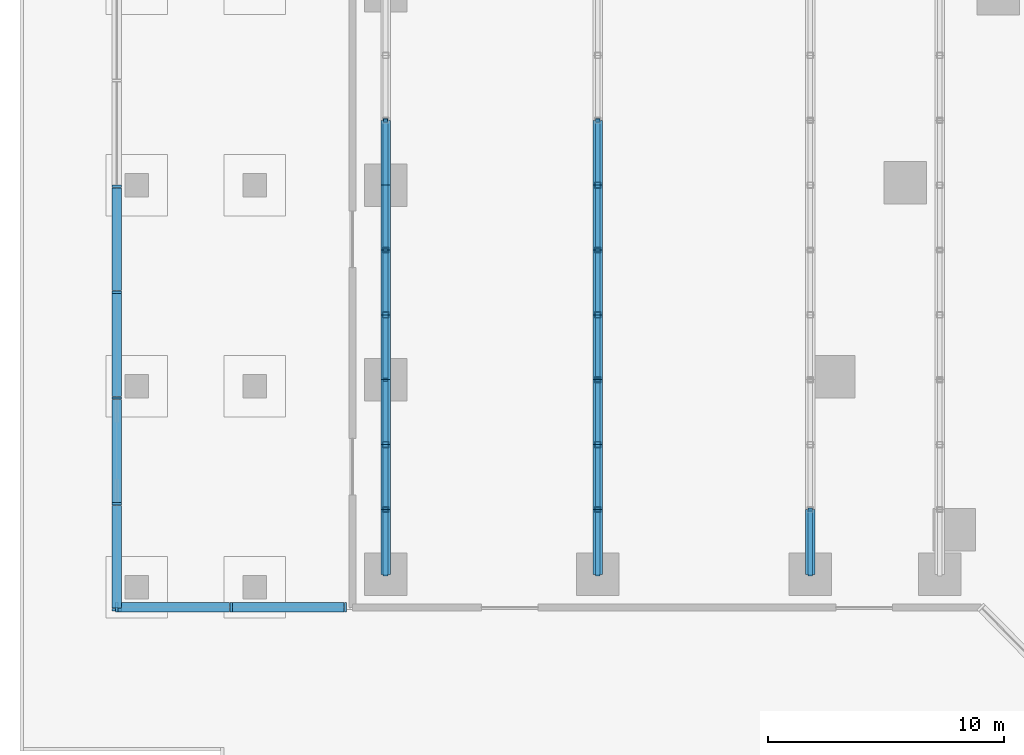
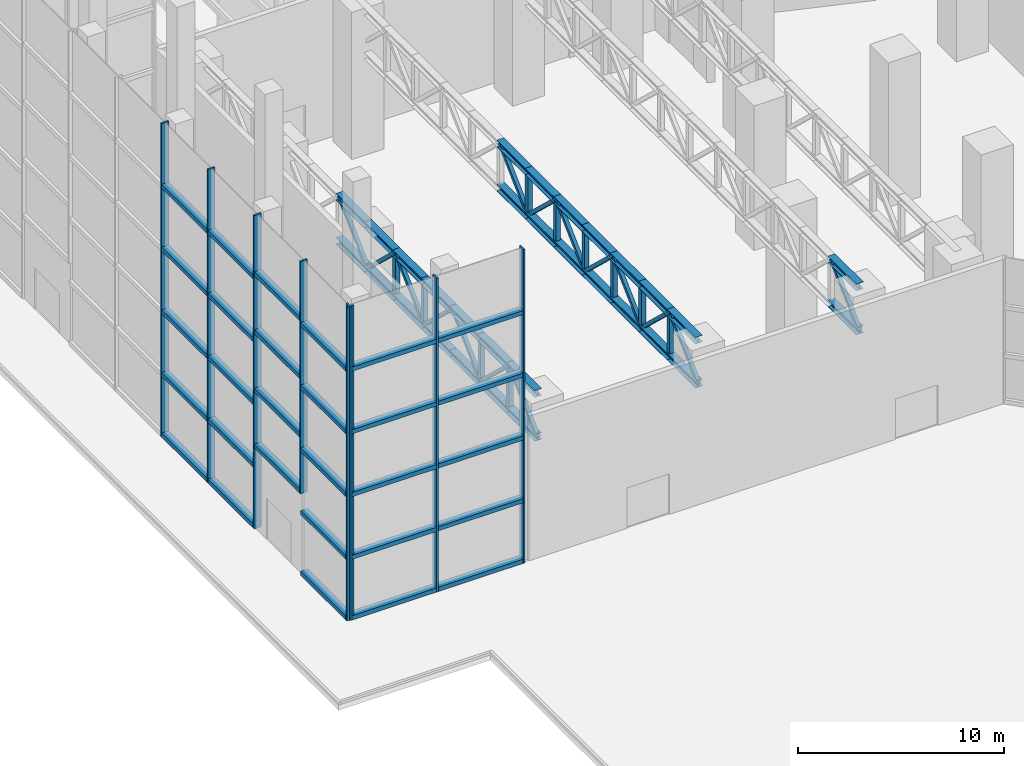
# One storey, part 9 of 40: 92 members, 4 elements without a shape of their own.
"""IFC4 building model written with IfcOpenShell, lengths in metres."""

import ifcopenshell
import ifcopenshell.guid

model = None  # the IFC model being written
_history = None  # IfcOwnerHistory: only IFC2X3 demands one
_inside = {}  # id of a spatial element -> (the spatial element, [elements in it])
_under = {}  # id of a project, library or spatial element -> (it, [spatial elements below it])
_declared = {}  # id of a project -> (the project, [libraries it declares])
_typed = {}  # id of a type object -> (the type object, [elements of that type])
_made_of = {}  # id of a material, layer set ... -> (it, [elements and type objects made of it])


def new_model(schema):
    """Start an empty IFC model of exactly this schema.

    Asked for "IFC4X3", IfcOpenShell would pick the latest addendum, in which some entities
    have other attributes; the version numbers below select the first issue.
    IFC2X3 requires an IfcOwnerHistory on every rooted entity: one is made here for all.
    """
    global model, _history
    if schema == "IFC4X3":
        model = ifcopenshell.file(schema_version=(4, 3, 0, 0))
    else:
        model = ifcopenshell.file(schema=schema)
    _inside.clear()
    _under.clear()
    _declared.clear()
    _typed.clear()
    _made_of.clear()
    _history = None
    if model.schema == "IFC2X3":
        org = make("IfcOrganization", Name="unknown")
        user = make(
            "IfcPersonAndOrganization",
            ThePerson=make("IfcPerson", FamilyName="unknown"),
            TheOrganization=org,
        )
        app = make(
            "IfcApplication",
            ApplicationDeveloper=org,
            Version="unknown",
            ApplicationFullName="unknown",
            ApplicationIdentifier="unknown",
        )
        _history = make(
            "IfcOwnerHistory",
            OwningUser=user,
            OwningApplication=app,
            ChangeAction="ADDED",
            CreationDate=0,
        )
    return model


def make(cls, **values):
    """One entity of the class cls with the attributes given. An attribute that is None is left unset."""
    return model.create_entity(
        cls, **{name: value for name, value in values.items() if value is not None}
    )


def rooted(cls, **values):
    """An entity with a GlobalId (a new one), such as an element, a storey or a relation."""
    return make(cls, GlobalId=ifcopenshell.guid.new(), OwnerHistory=_history, **values)


def si_unit(unit_type, name, prefix=None):
    """IfcSIUnit, for example si_unit("LENGTHUNIT", "METRE", prefix="MILLI")."""
    return make("IfcSIUnit", UnitType=unit_type, Prefix=prefix, Name=name)


def assignment(units):
    """IfcUnitAssignment: the units of a project."""
    return None if units is None else make("IfcUnitAssignment", Units=units)


def point(xyz):
    """IfcCartesianPoint."""
    return None if xyz is None else make("IfcCartesianPoint", Coordinates=xyz)


def direction(xyz):
    """IfcDirection."""
    return None if xyz is None else make("IfcDirection", DirectionRatios=xyz)


def frame(location, z_axis=None, x_axis=None):
    """IfcAxis2Placement3D, a coordinate frame: its origin and axes. An axis left out is left unset."""
    return make(
        "IfcAxis2Placement3D",
        Location=point(location),
        Axis=direction(z_axis),
        RefDirection=direction(x_axis),
    )


def frame_2d(location, x_axis=None):
    """IfcAxis2Placement2D, a coordinate frame in the plane: its origin and x axis."""
    return make(
        "IfcAxis2Placement2D", Location=point(location), RefDirection=direction(x_axis)
    )


def origin():
    """The frame at (0, 0, 0) with its axes left unset."""
    return frame((0.0, 0.0, 0.0))


def origin_2d():
    """The frame at (0, 0) in the plane with its x axis left unset."""
    return frame_2d((0.0, 0.0))


def place(relative_to, where):
    """IfcLocalPlacement: puts the frame where relative to a parent placement (None: the world)."""
    return make(
        "IfcLocalPlacement", PlacementRelTo=relative_to, RelativePlacement=where
    )


def context(
    kind, dimensions, precision=None, world=None, true_north=None, identifier=None
):
    """IfcGeometricRepresentationContext, for example the 3D "Model" context."""
    return make(
        "IfcGeometricRepresentationContext",
        ContextIdentifier=identifier,
        ContextType=kind,
        CoordinateSpaceDimension=dimensions,
        Precision=precision,
        WorldCoordinateSystem=world,
        TrueNorth=true_north,
    )


def subcontext(parent, identifier, kind, view, scale=None):
    """IfcGeometricRepresentationSubContext, for example "Body" below "Model"."""
    return make(
        "IfcGeometricRepresentationSubContext",
        ContextIdentifier=identifier,
        ContextType=kind,
        ParentContext=parent,
        TargetScale=scale,
        TargetView=view,
    )


def project(units=None, contexts=None):
    """IfcProject with its units and contexts."""
    return rooted(
        "IfcProject",
        Name="project",
        RepresentationContexts=contexts,
        UnitsInContext=assignment(units),
    )


def spatial(cls, under=None, at=None, **own):
    """A site, building, storey or space (cls), placed at a placement, below another one or the project."""
    s = rooted(cls, ObjectPlacement=at, **own)
    if under is not None:
        _under.setdefault(under.id(), (under, []))[1].append(s)
    return s


def profile(cls, at=None, kind="AREA", **sizes):
    """A parametric profile (cls). Its sizes go by their IFC names, for example OverallWidth=200.0."""
    return make(cls, ProfileType=kind, Position=at, **sizes)


def rectangle(**sizes):
    """IfcRectangleProfileDef."""
    return profile("IfcRectangleProfileDef", **sizes)


def hollow_rectangle(**sizes):
    """IfcRectangleHollowProfileDef."""
    return profile("IfcRectangleHollowProfileDef", **sizes)


def i_section(**sizes):
    """IfcIShapeProfileDef."""
    return profile("IfcIShapeProfileDef", **sizes)


def extrude(swept, where, along, depth):
    """IfcExtrudedAreaSolid: the profile swept, set in the frame where, extruded along a direction by depth."""
    return make(
        "IfcExtrudedAreaSolid",
        SweptArea=swept,
        Position=where,
        ExtrudedDirection=direction(along),
        Depth=depth,
    )


def shape(context_of_items, identifier, shape_type, items):
    """IfcShapeRepresentation: the items that make up one representation, for example the "Body"."""
    return make(
        "IfcShapeRepresentation",
        ContextOfItems=context_of_items,
        RepresentationIdentifier=identifier,
        RepresentationType=shape_type,
        Items=items,
    )


def material(Name=None, Category=None):
    """IfcMaterial."""
    return make("IfcMaterial", Name=Name, Category=Category)


def layer(
    of_material, thickness, ventilated=None, Name=None, Category=None, Priority=None
):
    """IfcMaterialLayer: one layer of a wall or slab, of a material (None: an air gap)."""
    return make(
        "IfcMaterialLayer",
        Material=of_material,
        LayerThickness=thickness,
        IsVentilated=ventilated,
        Name=Name,
        Category=Category,
        Priority=Priority,
    )


def layer_set(layers, Name=None):
    """IfcMaterialLayerSet."""
    return make("IfcMaterialLayerSet", MaterialLayers=layers, LayerSetName=Name)


def material_profile(
    of_material, cross_section, Name=None, Category=None, Priority=None
):
    """IfcMaterialProfile: a cross section and its material."""
    return make(
        "IfcMaterialProfile",
        Name=Name,
        Material=of_material,
        Profile=cross_section,
        Priority=Priority,
        Category=Category,
    )


def profile_set(profiles, Name=None, composite=None):
    """IfcMaterialProfileSet."""
    return make(
        "IfcMaterialProfileSet",
        Name=Name,
        MaterialProfiles=profiles,
        CompositeProfile=composite,
    )


def made_of(thing, what):
    """Note that an element or type object is made of a material, layer set ...; save() writes the relation."""
    if what is not None:
        _made_of.setdefault(what.id(), (what, []))[1].append(thing)
    return thing


def type_object(cls, material=None, **own):
    """A type object (cls), such as IfcWallType, which elements share."""
    return made_of(rooted(cls, **own), material)


def element(
    cls,
    number,
    at=None,
    inside=None,
    cuts=None,
    type_object=None,
    material=None,
    context=None,
    identifier="Body",
    shape_type=None,
    held_by="IfcProductDefinitionShape",
    body=None,
    shapes=None,
    **own,
):
    """One element of the class cls, such as IfcWall. Its Tag is "e" and its number.

    at: its placement. inside: the storey or other place that contains it. cuts: it is an
    opening in that element (IfcRelVoidsElement). A single representation is given by context,
    identifier, shape_type and body (its items); several are given by shapes. held_by: the class
    of the entity that holds the representations. save() writes the other relations.
    """
    e = rooted(cls, Tag="e%d" % number, ObjectPlacement=at, **own)
    if body is not None:
        shapes = [shape(context, identifier, shape_type, body)]
    if shapes is not None:
        e.Representation = make(held_by, Representations=shapes)
    if inside is not None:
        _inside.setdefault(inside.id(), (inside, []))[1].append(e)
    if cuts is not None:
        rooted(
            "IfcRelVoidsElement", RelatingBuildingElement=cuts, RelatedOpeningElement=e
        )
    if type_object is not None:
        _typed.setdefault(type_object.id(), (type_object, []))[1].append(e)
    return made_of(e, material)


def aggregate(whole, parts):
    """IfcRelAggregates: a whole, such as a stair, and the parts it consists of."""
    return rooted("IfcRelAggregates", RelatingObject=whole, RelatedObjects=parts)


def save(model, path):
    """Write the relations noted so far, then the file.

    IfcRelAggregates (storeys below a building ...), IfcRelContainedInSpatialStructure (elements
    in a storey), IfcRelDefinesByType, IfcRelAssociatesMaterial and IfcRelDeclares: one each for
    every whole, place, type object, material and project.
    """
    for whole, parts in _under.values():
        aggregate(whole, parts)
    for where, things in _inside.values():
        rooted(
            "IfcRelContainedInSpatialStructure",
            RelatedElements=things,
            RelatingStructure=where,
        )
    for kind, things in _typed.values():
        rooted("IfcRelDefinesByType", RelatedObjects=things, RelatingType=kind)
    for what, things in _made_of.values():
        rooted("IfcRelAssociatesMaterial", RelatedObjects=things, RelatingMaterial=what)
    for by, libraries in _declared.values():
        rooted("IfcRelDeclares", RelatingContext=by, RelatedDefinitions=libraries)
    model.write(path)


model = new_model("IFC4")

# Units and contexts
model_context = context("Model", 3, precision=1e-05, world=origin(), true_north=direction((0.0, 1.0)))
body_context = subcontext(model_context, "Body", "Model", "MODEL_VIEW")
ifc_project = project(units=[si_unit("LENGTHUNIT", "METRE"), si_unit("AREAUNIT", "SQUARE_METRE"), si_unit("VOLUMEUNIT", "CUBIC_METRE"), si_unit("PLANEANGLEUNIT", "RADIAN"), si_unit("MASSUNIT", "GRAM", prefix="KILO")], contexts=[model_context])

# Site, building, storey
site_placement = place(None, origin())
site = spatial("IfcSite", under=ifc_project, at=site_placement, CompositionType="ELEMENT")
building_placement = place(site_placement, origin())
building = spatial("IfcBuilding", under=site, at=building_placement, Name="Dongbaek Canopy Tower", CompositionType="ELEMENT")
storey_placement = place(building_placement, origin())
storey = spatial("IfcBuildingStorey", under=building, at=storey_placement, Name="L00", CompositionType="ELEMENT", Elevation=0.0)

# Members
ifc_material_1 = material(Name="Steel S355", Category="steel")
ifc_material_profile_1 = material_profile(ifc_material_1, hollow_rectangle(XDim=0.199951171875, YDim=0.199951171875, WallThickness=0.009033203125, at=origin_2d()), Name="BRACE SHS 200x200x9 Steel S355")
ifc_profile_set_1 = profile_set([ifc_material_profile_1], Name="Steel S355")
member_type_1 = type_object("IfcMemberType", Name="BRACE SHS 200x200x9 Steel S355", PredefinedType="BRACE", material=ifc_profile_set_1)
for number, where, z_axis, x_axis, name in (
    (1, (-56.5, -16.5, 5.89990234375), (0.0, 0.726633772729, 0.687025007063), (-1.0, 0.0, 0.0), "ROOFTRUSS:WW:0:D0"),
    (2, (-56.5, -13.75, 8.5), (0.0, 0.726633772729, -0.687025007063), (-1.0, 0.0, 0.0), "ROOFTRUSS:WW:0:D1"),
    (3, (-56.5, -11.0, 5.89990234375), (0.0, 0.726633772729, 0.687025007063), (-1.0, 0.0, 0.0), "ROOFTRUSS:WW:0:D2"),
    (4, (-56.5, -8.25, 8.5), (0.0, 0.726633772729, -0.687025007063), (-1.0, 0.0, 0.0), "ROOFTRUSS:WW:0:D3"),
    (5, (-56.5, -5.5, 5.89990234375), (0.0, 0.726633772729, 0.687025007063), (-1.0, 0.0, 0.0), "ROOFTRUSS:WW:0:D4"),
    (6, (-56.5, -2.75, 8.5), (0.0, 0.726633772729, -0.687025007063), (-1.0, 0.0, 0.0), "ROOFTRUSS:WW:0:D5"),
    (7, (-56.5, 0.0, 5.89990234375), (0.0, 0.726633772729, 0.687025007063), (-1.0, 0.0, 0.0), "ROOFTRUSS:WW:0:D6"),
    (8, (-47.5, -16.5, 5.89990234375), (0.0, 0.726633772729, 0.687025007063), (-1.0, 0.0, 0.0), "ROOFTRUSS:WW:1:D0"),
    (9, (-47.5, -13.75, 8.5), (0.0, 0.726633772729, -0.687025007063), (-1.0, 0.0, 0.0), "ROOFTRUSS:WW:1:D1"),
    (10, (-47.5, -11.0, 5.89990234375), (0.0, 0.726633772729, 0.687025007063), (-1.0, 0.0, 0.0), "ROOFTRUSS:WW:1:D2"),
    (11, (-47.5, -8.25, 8.5), (0.0, 0.726633772729, -0.687025007063), (-1.0, 0.0, 0.0), "ROOFTRUSS:WW:1:D3"),
    (12, (-47.5, -5.5, 5.89990234375), (0.0, 0.726633772729, 0.687025007063), (-1.0, 0.0, 0.0), "ROOFTRUSS:WW:1:D4"),
    (13, (-47.5, -2.75, 8.5), (0.0, 0.726633772729, -0.687025007063), (-1.0, 0.0, 0.0), "ROOFTRUSS:WW:1:D5"),
    (14, (-47.5, 0.0, 5.89990234375), (0.0, 0.726633772729, 0.687025007063), (-1.0, 0.0, 0.0), "ROOFTRUSS:WW:1:D6"),
    (15, (-38.5, -16.5, 5.89990234375), (0.0, 0.726633772729, 0.687025007063), (-1.0, 0.0, 0.0), "ROOFTRUSS:WW:2:D0"),
):
    element("IfcMember", number, at=place(storey_placement, frame(where, z_axis=z_axis, x_axis=x_axis)), inside=storey, type_object=member_type_1, Name=name, PredefinedType="BRACE", context=body_context, shape_type="SweptSolid", body=[
        extrude(hollow_rectangle(XDim=0.199951171875, YDim=0.199951171875, WallThickness=0.009033203125, at=origin_2d()), origin(), (0.0, 0.0, 1.0), 3.78466796875),
    ])
ifc_material_2 = material(Name="Steel S355", Category="steel")
ifc_material_profile_2 = material_profile(ifc_material_2, i_section(OverallWidth=0.39990234375, OverallDepth=0.39990234375, WebThickness=0.012939453125, FlangeThickness=0.02099609375, FilletRadius=0.02197265625, at=origin_2d()), Name="CHORD H 400x400x13x21 Steel S355")
ifc_profile_set_2 = profile_set([ifc_material_profile_2], Name="Steel S355")
member_type_2 = type_object("IfcMemberType", Name="CHORD H 400x400x13x21 Steel S355", PredefinedType="CHORD", material=ifc_profile_set_2)
for number, where, z_axis, x_axis, name in (
    (16, (-56.5, -16.5, 5.89990234375), (0.0, 1.0, 0.0), (-1.0, 0.0, 0.0), "ROOFTRUSS:WW:0:CB0"),
    (17, (-56.5, -16.5, 8.5), (0.0, 1.0, 0.0), (-1.0, 0.0, 0.0), "ROOFTRUSS:WW:0:CT0"),
    (18, (-56.5, -13.75, 5.89990234375), (0.0, 1.0, 0.0), (-1.0, 0.0, 0.0), "ROOFTRUSS:WW:0:CB1"),
    (19, (-56.5, -13.75, 8.5), (0.0, 1.0, 0.0), (-1.0, 0.0, 0.0), "ROOFTRUSS:WW:0:CT1"),
    (20, (-56.5, -11.0, 5.89990234375), (0.0, 1.0, 0.0), (-1.0, 0.0, 0.0), "ROOFTRUSS:WW:0:CB2"),
    (21, (-56.5, -11.0, 8.5), (0.0, 1.0, 0.0), (-1.0, 0.0, 0.0), "ROOFTRUSS:WW:0:CT2"),
    (22, (-56.5, -8.25, 5.89990234375), (0.0, 1.0, 0.0), (-1.0, 0.0, 0.0), "ROOFTRUSS:WW:0:CB3"),
    (23, (-56.5, -8.25, 8.5), (0.0, 1.0, 0.0), (-1.0, 0.0, 0.0), "ROOFTRUSS:WW:0:CT3"),
    (24, (-56.5, -5.5, 5.89990234375), (0.0, 1.0, 0.0), (-1.0, 0.0, 0.0), "ROOFTRUSS:WW:0:CB4"),
    (25, (-56.5, -5.5, 8.5), (0.0, 1.0, 0.0), (-1.0, 0.0, 0.0), "ROOFTRUSS:WW:0:CT4"),
    (26, (-56.5, -2.75, 5.89990234375), (0.0, 1.0, 0.0), (-1.0, 0.0, 0.0), "ROOFTRUSS:WW:0:CB5"),
    (27, (-56.5, -2.75, 8.5), (0.0, 1.0, 0.0), (-1.0, 0.0, 0.0), "ROOFTRUSS:WW:0:CT5"),
    (28, (-56.5, 0.0, 5.89990234375), (0.0, 1.0, 0.0), (-1.0, 0.0, 0.0), "ROOFTRUSS:WW:0:CB6"),
    (29, (-56.5, 0.0, 8.5), (0.0, 1.0, 0.0), (-1.0, 0.0, 0.0), "ROOFTRUSS:WW:0:CT6"),
    (30, (-47.5, -16.5, 5.89990234375), (0.0, 1.0, 0.0), (-1.0, 0.0, 0.0), "ROOFTRUSS:WW:1:CB0"),
    (31, (-47.5, -16.5, 8.5), (0.0, 1.0, 0.0), (-1.0, 0.0, 0.0), "ROOFTRUSS:WW:1:CT0"),
    (32, (-47.5, -13.75, 5.89990234375), (0.0, 1.0, 0.0), (-1.0, 0.0, 0.0), "ROOFTRUSS:WW:1:CB1"),
    (33, (-47.5, -13.75, 8.5), (0.0, 1.0, 0.0), (-1.0, 0.0, 0.0), "ROOFTRUSS:WW:1:CT1"),
    (34, (-47.5, -11.0, 5.89990234375), (0.0, 1.0, 0.0), (-1.0, 0.0, 0.0), "ROOFTRUSS:WW:1:CB2"),
    (35, (-47.5, -11.0, 8.5), (0.0, 1.0, 0.0), (-1.0, 0.0, 0.0), "ROOFTRUSS:WW:1:CT2"),
    (36, (-47.5, -8.25, 5.89990234375), (0.0, 1.0, 0.0), (-1.0, 0.0, 0.0), "ROOFTRUSS:WW:1:CB3"),
    (37, (-47.5, -8.25, 8.5), (0.0, 1.0, 0.0), (-1.0, 0.0, 0.0), "ROOFTRUSS:WW:1:CT3"),
    (38, (-47.5, -5.5, 5.89990234375), (0.0, 1.0, 0.0), (-1.0, 0.0, 0.0), "ROOFTRUSS:WW:1:CB4"),
    (39, (-47.5, -5.5, 8.5), (0.0, 1.0, 0.0), (-1.0, 0.0, 0.0), "ROOFTRUSS:WW:1:CT4"),
    (40, (-47.5, -2.75, 5.89990234375), (0.0, 1.0, 0.0), (-1.0, 0.0, 0.0), "ROOFTRUSS:WW:1:CB5"),
    (41, (-47.5, -2.75, 8.5), (0.0, 1.0, 0.0), (-1.0, 0.0, 0.0), "ROOFTRUSS:WW:1:CT5"),
    (42, (-47.5, 0.0, 5.89990234375), (0.0, 1.0, 0.0), (-1.0, 0.0, 0.0), "ROOFTRUSS:WW:1:CB6"),
    (43, (-47.5, 0.0, 8.5), (0.0, 1.0, 0.0), (-1.0, 0.0, 0.0), "ROOFTRUSS:WW:1:CT6"),
    (44, (-38.5, -16.5, 5.89990234375), (0.0, 1.0, 0.0), (-1.0, 0.0, 0.0), "ROOFTRUSS:WW:2:CB0"),
    (45, (-38.5, -16.5, 8.5), (0.0, 1.0, 0.0), (-1.0, 0.0, 0.0), "ROOFTRUSS:WW:2:CT0"),
):
    element("IfcMember", number, at=place(storey_placement, frame(where, z_axis=z_axis, x_axis=x_axis)), inside=storey, type_object=member_type_2, Name=name, PredefinedType="CHORD", context=body_context, shape_type="SweptSolid", body=[
        extrude(i_section(OverallWidth=0.39990234375, OverallDepth=0.39990234375, WebThickness=0.012939453125, FlangeThickness=0.02099609375, FilletRadius=0.02197265625, at=origin_2d()), origin(), (0.0, 0.0, 1.0), 2.75),
    ])

# Curtain wall, members
ifc_material_3 = material(Name="Aluminium 6063-T6 pale anodised", Category="aluminium")
ifc_layer = layer(ifc_material_3, 0.39990234375)
ifc_layer_set = layer_set([ifc_layer], Name="CW-3 lobby double-height curtain wall")
curtain_wall_type = type_object("IfcCurtainWallType", Name="CW-3 lobby double-height curtain wall", PredefinedType="NOTDEFINED", material=ifc_layer_set)
curtain_wall_1_placement = place(storey_placement, origin())
curtain_wall_1 = element("IfcCurtainWall", 46, at=curtain_wall_1_placement, inside=storey, type_object=curtain_wall_type, Name="CW-3 curtain wall HWS.1", PredefinedType="NOTDEFINED")
ifc_material_4 = material(Name="Aluminium 6063-T6 pale anodised", Category="aluminium")
ifc_material_profile_3 = material_profile(ifc_material_4, rectangle(XDim=0.39990234375, YDim=0.10009765625, at=origin_2d()), Name="CW-3 mullion 100 x 400")
ifc_profile_set_3 = profile_set([ifc_material_profile_3], Name="Aluminium 6063-T6 pale anodised")
member_type_3 = type_object("IfcMemberType", Name="CW-3 mullion 100 x 400", PredefinedType="MULLION", material=ifc_profile_set_3)
member_1_placement = place(storey_placement, frame((-67.89990234375, -17.89990234375, 0.0), z_axis=(0.0, 0.0, 1.0), x_axis=(0.0, -1.0, 0.0)))
member_1 = element("IfcMember", 47, at=member_1_placement, type_object=member_type_3, Name="CW-3 mullion HWS.1.1", PredefinedType="MULLION", context=body_context, shape_type="SweptSolid", body=[
    extrude(rectangle(XDim=0.39990234375, YDim=0.10009765625, at=origin_2d()), origin(), (0.0, 0.0, 1.0), 18.550048828125),
])
member_2_placement = place(storey_placement, frame((-63.050048828125, -17.89990234375, 0.0), z_axis=(0.0, 0.0, 1.0), x_axis=(0.0, -1.0, 0.0)))
member_2 = element("IfcMember", 48, at=member_2_placement, type_object=member_type_3, Name="CW-3 mullion HWS.1.2", PredefinedType="MULLION", context=body_context, shape_type="SweptSolid", body=[
    extrude(rectangle(XDim=0.39990234375, YDim=0.10009765625, at=origin_2d()), origin(), (0.0, 0.0, 1.0), 18.550048828125),
])
member_3_placement = place(storey_placement, frame((-58.199951171875, -17.89990234375, 0.0), z_axis=(0.0, 0.0, 1.0), x_axis=(0.0, -1.0, 0.0)))
member_3 = element("IfcMember", 49, at=member_3_placement, type_object=member_type_3, Name="CW-3 mullion HWS.1.3", PredefinedType="MULLION", context=body_context, shape_type="SweptSolid", body=[
    extrude(rectangle(XDim=0.39990234375, YDim=0.10009765625, at=origin_2d()), origin(), (0.0, 0.0, 1.0), 18.550048828125),
])

curtain_wall_2_placement = place(storey_placement, origin())
curtain_wall_2 = element("IfcCurtainWall", 50, at=curtain_wall_2_placement, inside=storey, type_object=curtain_wall_type, Name="CW-3 curtain wall HWW.2", PredefinedType="NOTDEFINED")
member_4_placement = place(storey_placement, frame((-67.89990234375, -0.050048828125, 0.0), z_axis=(0.0, 0.0, 1.0), x_axis=(-1.0, 0.0, 0.0)))
member_4 = element("IfcMember", 51, at=member_4_placement, type_object=member_type_3, Name="CW-3 mullion HWW.2.3", PredefinedType="MULLION", context=body_context, shape_type="SweptSolid", body=[
    extrude(rectangle(XDim=0.39990234375, YDim=0.10009765625, at=origin_2d()), origin(), (0.0, 0.0, 1.0), 18.550048828125),
])
member_5_placement = place(storey_placement, frame((-67.89990234375, -4.53759765625, 0.0), z_axis=(0.0, 0.0, 1.0), x_axis=(-1.0, 0.0, 0.0)))
member_5 = element("IfcMember", 52, at=member_5_placement, type_object=member_type_3, Name="CW-3 mullion HWW.2.4", PredefinedType="MULLION", context=body_context, shape_type="SweptSolid", body=[
    extrude(rectangle(XDim=0.39990234375, YDim=0.10009765625, at=origin_2d()), origin(), (0.0, 0.0, 1.0), 18.550048828125),
])
member_6_placement = place(storey_placement, frame((-67.89990234375, -9.02490234375, 0.0), z_axis=(0.0, 0.0, 1.0), x_axis=(-1.0, 0.0, 0.0)))
member_6 = element("IfcMember", 53, at=member_6_placement, type_object=member_type_3, Name="CW-3 mullion HWW.2.5", PredefinedType="MULLION", context=body_context, shape_type="SweptSolid", body=[
    extrude(rectangle(XDim=0.39990234375, YDim=0.10009765625, at=origin_2d()), origin(), (0.0, 0.0, 1.0), 18.550048828125),
])

# Curtain wall, member
curtain_wall_3_placement = place(storey_placement, origin())
curtain_wall_3 = element("IfcCurtainWall", 54, at=curtain_wall_3_placement, inside=storey, type_object=curtain_wall_type, Name="CW-3 curtain wall HWW.7U", PredefinedType="NOTDEFINED")
member_7_placement = place(storey_placement, frame((-67.89990234375, -13.512451171875, 4.800048828125), z_axis=(0.0, 0.0, 1.0), x_axis=(-1.0, 0.0, 0.0)))
member_7 = element("IfcMember", 55, at=member_7_placement, type_object=member_type_3, Name="CW-3 mullion HWW.7U.2", PredefinedType="MULLION", context=body_context, shape_type="SweptSolid", body=[
    extrude(rectangle(XDim=0.39990234375, YDim=0.10009765625, at=origin_2d()), origin(), (0.0, 0.0, 1.0), 13.75),
])

curtain_wall_4_placement = place(storey_placement, origin())
curtain_wall_4 = element("IfcCurtainWall", 56, at=curtain_wall_4_placement, inside=storey, type_object=curtain_wall_type, Name="CW-3 curtain wall HWW.3", PredefinedType="NOTDEFINED")
member_8_placement = place(storey_placement, frame((-67.89990234375, -18.0, 0.0), z_axis=(0.0, 0.0, 1.0), x_axis=(-1.0, 0.0, 0.0)))
member_8 = element("IfcMember", 57, at=member_8_placement, type_object=member_type_3, Name="CW-3 mullion HWW.3.2", PredefinedType="MULLION", context=body_context, shape_type="SweptSolid", body=[
    extrude(rectangle(XDim=0.39990234375, YDim=0.10009765625, at=origin_2d()), origin(), (0.0, 0.0, 1.0), 18.550048828125),
])

# Member
ifc_material_5 = material(Name="Aluminium 6063-T6 pale anodised", Category="aluminium")
ifc_material_profile_4 = material_profile(ifc_material_5, rectangle(XDim=0.39990234375, YDim=0.25, at=origin_2d()), Name="CW-3 transom 250 x 400")
ifc_profile_set_4 = profile_set([ifc_material_profile_4], Name="Aluminium 6063-T6 pale anodised")
member_type_4 = type_object("IfcMemberType", Name="CW-3 transom 250 x 400", PredefinedType="USERDEFINED", material=ifc_profile_set_4)
member_9_placement = place(storey_placement, frame((-67.837890625, -17.89990234375, 0.125), z_axis=(1.0, 0.0, 0.0), x_axis=(0.0, 1.0, 0.0)))
member_9 = element("IfcMember", 58, at=member_9_placement, type_object=member_type_4, Name="CW-3 transom HWS.1.1.1", ObjectType="TRANSOM", PredefinedType="USERDEFINED", context=body_context, shape_type="SweptSolid", body=[
    extrude(rectangle(XDim=0.39990234375, YDim=0.25, at=origin_2d()), origin(), (0.0, 0.0, 1.0), 4.725830078125),
])

member_10_placement = place(storey_placement, frame((-67.837890625, -17.89990234375, 3.7099609375), z_axis=(1.0, 0.0, 0.0), x_axis=(0.0, 1.0, 0.0)))
member_10 = element("IfcMember", 59, at=member_10_placement, type_object=member_type_4, Name="CW-3 transom HWS.1.1.2", ObjectType="TRANSOM", PredefinedType="USERDEFINED", context=body_context, shape_type="SweptSolid", body=[
    extrude(rectangle(XDim=0.39990234375, YDim=0.25, at=origin_2d()), origin(), (0.0, 0.0, 1.0), 4.725830078125),
])

member_11_placement = place(storey_placement, frame((-67.837890625, -17.89990234375, 7.419921875), z_axis=(1.0, 0.0, 0.0), x_axis=(0.0, 1.0, 0.0)))
member_11 = element("IfcMember", 60, at=member_11_placement, type_object=member_type_4, Name="CW-3 transom HWS.1.1.3", ObjectType="TRANSOM", PredefinedType="USERDEFINED", context=body_context, shape_type="SweptSolid", body=[
    extrude(rectangle(XDim=0.39990234375, YDim=0.25, at=origin_2d()), origin(), (0.0, 0.0, 1.0), 4.725830078125),
])

member_12_placement = place(storey_placement, frame((-67.837890625, -17.89990234375, 11.1298828125), z_axis=(1.0, 0.0, 0.0), x_axis=(0.0, 1.0, 0.0)))
member_12 = element("IfcMember", 61, at=member_12_placement, type_object=member_type_4, Name="CW-3 transom HWS.1.1.4", ObjectType="TRANSOM", PredefinedType="USERDEFINED", context=body_context, shape_type="SweptSolid", body=[
    extrude(rectangle(XDim=0.39990234375, YDim=0.25, at=origin_2d()), origin(), (0.0, 0.0, 1.0), 4.725830078125),
])

member_13_placement = place(storey_placement, frame((-67.837890625, -17.89990234375, 14.840087890625), z_axis=(1.0, 0.0, 0.0), x_axis=(0.0, 1.0, 0.0)))
member_13 = element("IfcMember", 62, at=member_13_placement, type_object=member_type_4, Name="CW-3 transom HWS.1.1.5", ObjectType="TRANSOM", PredefinedType="USERDEFINED", context=body_context, shape_type="SweptSolid", body=[
    extrude(rectangle(XDim=0.39990234375, YDim=0.25, at=origin_2d()), origin(), (0.0, 0.0, 1.0), 4.725830078125),
])

member_14_placement = place(storey_placement, frame((-62.988037109375, -17.89990234375, 0.125), z_axis=(1.0, 0.0, 0.0), x_axis=(0.0, 1.0, 0.0)))
member_14 = element("IfcMember", 63, at=member_14_placement, type_object=member_type_4, Name="CW-3 transom HWS.1.2.1", ObjectType="TRANSOM", PredefinedType="USERDEFINED", context=body_context, shape_type="SweptSolid", body=[
    extrude(rectangle(XDim=0.39990234375, YDim=0.25, at=origin_2d()), origin(), (0.0, 0.0, 1.0), 4.72607421875),
])

member_15_placement = place(storey_placement, frame((-62.988037109375, -17.89990234375, 3.7099609375), z_axis=(1.0, 0.0, 0.0), x_axis=(0.0, 1.0, 0.0)))
member_15 = element("IfcMember", 64, at=member_15_placement, type_object=member_type_4, Name="CW-3 transom HWS.1.2.2", ObjectType="TRANSOM", PredefinedType="USERDEFINED", context=body_context, shape_type="SweptSolid", body=[
    extrude(rectangle(XDim=0.39990234375, YDim=0.25, at=origin_2d()), origin(), (0.0, 0.0, 1.0), 4.72607421875),
])

member_16_placement = place(storey_placement, frame((-62.988037109375, -17.89990234375, 7.419921875), z_axis=(1.0, 0.0, 0.0), x_axis=(0.0, 1.0, 0.0)))
member_16 = element("IfcMember", 65, at=member_16_placement, type_object=member_type_4, Name="CW-3 transom HWS.1.2.3", ObjectType="TRANSOM", PredefinedType="USERDEFINED", context=body_context, shape_type="SweptSolid", body=[
    extrude(rectangle(XDim=0.39990234375, YDim=0.25, at=origin_2d()), origin(), (0.0, 0.0, 1.0), 4.72607421875),
])

member_17_placement = place(storey_placement, frame((-62.988037109375, -17.89990234375, 11.1298828125), z_axis=(1.0, 0.0, 0.0), x_axis=(0.0, 1.0, 0.0)))
member_17 = element("IfcMember", 66, at=member_17_placement, type_object=member_type_4, Name="CW-3 transom HWS.1.2.4", ObjectType="TRANSOM", PredefinedType="USERDEFINED", context=body_context, shape_type="SweptSolid", body=[
    extrude(rectangle(XDim=0.39990234375, YDim=0.25, at=origin_2d()), origin(), (0.0, 0.0, 1.0), 4.72607421875),
])

member_18_placement = place(storey_placement, frame((-62.988037109375, -17.89990234375, 14.840087890625), z_axis=(1.0, 0.0, 0.0), x_axis=(0.0, 1.0, 0.0)))
member_18 = element("IfcMember", 67, at=member_18_placement, type_object=member_type_4, Name="CW-3 transom HWS.1.2.5", ObjectType="TRANSOM", PredefinedType="USERDEFINED", context=body_context, shape_type="SweptSolid", body=[
    extrude(rectangle(XDim=0.39990234375, YDim=0.25, at=origin_2d()), origin(), (0.0, 0.0, 1.0), 4.72607421875),
])

aggregate(curtain_wall_1, [member_1, member_2, member_3, member_9, member_10, member_11, member_12, member_13, member_14, member_15, member_16, member_17, member_18])

member_19_placement = place(storey_placement, frame((-67.89990234375, -0.112060546875, 0.125), z_axis=(0.0, -1.0, 0.0), x_axis=(1.0, 0.0, 0.0)))
member_19 = element("IfcMember", 68, at=member_19_placement, type_object=member_type_4, Name="CW-3 transom HWW.2.3.1", ObjectType="TRANSOM", PredefinedType="USERDEFINED", context=body_context, shape_type="SweptSolid", body=[
    extrude(rectangle(XDim=0.39990234375, YDim=0.25, at=origin_2d()), origin(), (0.0, 0.0, 1.0), 4.363525390625),
])

member_20_placement = place(storey_placement, frame((-67.89990234375, -0.112060546875, 3.7099609375), z_axis=(0.0, -1.0, 0.0), x_axis=(1.0, 0.0, 0.0)))
member_20 = element("IfcMember", 69, at=member_20_placement, type_object=member_type_4, Name="CW-3 transom HWW.2.3.2", ObjectType="TRANSOM", PredefinedType="USERDEFINED", context=body_context, shape_type="SweptSolid", body=[
    extrude(rectangle(XDim=0.39990234375, YDim=0.25, at=origin_2d()), origin(), (0.0, 0.0, 1.0), 4.363525390625),
])

member_21_placement = place(storey_placement, frame((-67.89990234375, -0.112060546875, 7.419921875), z_axis=(0.0, -1.0, 0.0), x_axis=(1.0, 0.0, 0.0)))
member_21 = element("IfcMember", 70, at=member_21_placement, type_object=member_type_4, Name="CW-3 transom HWW.2.3.3", ObjectType="TRANSOM", PredefinedType="USERDEFINED", context=body_context, shape_type="SweptSolid", body=[
    extrude(rectangle(XDim=0.39990234375, YDim=0.25, at=origin_2d()), origin(), (0.0, 0.0, 1.0), 4.363525390625),
])

member_22_placement = place(storey_placement, frame((-67.89990234375, -0.112060546875, 11.1298828125), z_axis=(0.0, -1.0, 0.0), x_axis=(1.0, 0.0, 0.0)))
member_22 = element("IfcMember", 71, at=member_22_placement, type_object=member_type_4, Name="CW-3 transom HWW.2.3.4", ObjectType="TRANSOM", PredefinedType="USERDEFINED", context=body_context, shape_type="SweptSolid", body=[
    extrude(rectangle(XDim=0.39990234375, YDim=0.25, at=origin_2d()), origin(), (0.0, 0.0, 1.0), 4.363525390625),
])

member_23_placement = place(storey_placement, frame((-67.89990234375, -0.112060546875, 14.840087890625), z_axis=(0.0, -1.0, 0.0), x_axis=(1.0, 0.0, 0.0)))
member_23 = element("IfcMember", 72, at=member_23_placement, type_object=member_type_4, Name="CW-3 transom HWW.2.3.5", ObjectType="TRANSOM", PredefinedType="USERDEFINED", context=body_context, shape_type="SweptSolid", body=[
    extrude(rectangle(XDim=0.39990234375, YDim=0.25, at=origin_2d()), origin(), (0.0, 0.0, 1.0), 4.363525390625),
])

member_24_placement = place(storey_placement, frame((-67.89990234375, -4.599609375, 0.125), z_axis=(0.0, -1.0, 0.0), x_axis=(1.0, 0.0, 0.0)))
member_24 = element("IfcMember", 73, at=member_24_placement, type_object=member_type_4, Name="CW-3 transom HWW.2.4.1", ObjectType="TRANSOM", PredefinedType="USERDEFINED", context=body_context, shape_type="SweptSolid", body=[
    extrude(rectangle(XDim=0.39990234375, YDim=0.25, at=origin_2d()), origin(), (0.0, 0.0, 1.0), 4.36328125),
])

member_25_placement = place(storey_placement, frame((-67.89990234375, -4.599609375, 3.7099609375), z_axis=(0.0, -1.0, 0.0), x_axis=(1.0, 0.0, 0.0)))
member_25 = element("IfcMember", 74, at=member_25_placement, type_object=member_type_4, Name="CW-3 transom HWW.2.4.2", ObjectType="TRANSOM", PredefinedType="USERDEFINED", context=body_context, shape_type="SweptSolid", body=[
    extrude(rectangle(XDim=0.39990234375, YDim=0.25, at=origin_2d()), origin(), (0.0, 0.0, 1.0), 4.36328125),
])

member_26_placement = place(storey_placement, frame((-67.89990234375, -4.599609375, 7.419921875), z_axis=(0.0, -1.0, 0.0), x_axis=(1.0, 0.0, 0.0)))
member_26 = element("IfcMember", 75, at=member_26_placement, type_object=member_type_4, Name="CW-3 transom HWW.2.4.3", ObjectType="TRANSOM", PredefinedType="USERDEFINED", context=body_context, shape_type="SweptSolid", body=[
    extrude(rectangle(XDim=0.39990234375, YDim=0.25, at=origin_2d()), origin(), (0.0, 0.0, 1.0), 4.36328125),
])

member_27_placement = place(storey_placement, frame((-67.89990234375, -4.599609375, 11.1298828125), z_axis=(0.0, -1.0, 0.0), x_axis=(1.0, 0.0, 0.0)))
member_27 = element("IfcMember", 76, at=member_27_placement, type_object=member_type_4, Name="CW-3 transom HWW.2.4.4", ObjectType="TRANSOM", PredefinedType="USERDEFINED", context=body_context, shape_type="SweptSolid", body=[
    extrude(rectangle(XDim=0.39990234375, YDim=0.25, at=origin_2d()), origin(), (0.0, 0.0, 1.0), 4.36328125),
])

member_28_placement = place(storey_placement, frame((-67.89990234375, -4.599609375, 14.840087890625), z_axis=(0.0, -1.0, 0.0), x_axis=(1.0, 0.0, 0.0)))
member_28 = element("IfcMember", 77, at=member_28_placement, type_object=member_type_4, Name="CW-3 transom HWW.2.4.5", ObjectType="TRANSOM", PredefinedType="USERDEFINED", context=body_context, shape_type="SweptSolid", body=[
    extrude(rectangle(XDim=0.39990234375, YDim=0.25, at=origin_2d()), origin(), (0.0, 0.0, 1.0), 4.36328125),
])

aggregate(curtain_wall_2, [member_4, member_5, member_6, member_19, member_20, member_21, member_22, member_23, member_24, member_25, member_26, member_27, member_28])

member_29_placement = place(storey_placement, frame((-67.89990234375, -9.0869140625, 4.925048828125), z_axis=(0.0, -1.0, 0.0), x_axis=(1.0, 0.0, 0.0)))
member_29 = element("IfcMember", 78, at=member_29_placement, type_object=member_type_4, Name="CW-3 transom HWW.7U.1.1", ObjectType="TRANSOM", PredefinedType="USERDEFINED", context=body_context, shape_type="SweptSolid", body=[
    extrude(rectangle(XDim=0.39990234375, YDim=0.25, at=origin_2d()), origin(), (0.0, 0.0, 1.0), 4.363525390625),
])

member_30_placement = place(storey_placement, frame((-67.89990234375, -9.0869140625, 8.237548828125), z_axis=(0.0, -1.0, 0.0), x_axis=(1.0, 0.0, 0.0)))
member_30 = element("IfcMember", 79, at=member_30_placement, type_object=member_type_4, Name="CW-3 transom HWW.7U.1.2", ObjectType="TRANSOM", PredefinedType="USERDEFINED", context=body_context, shape_type="SweptSolid", body=[
    extrude(rectangle(XDim=0.39990234375, YDim=0.25, at=origin_2d()), origin(), (0.0, 0.0, 1.0), 4.363525390625),
])

member_31_placement = place(storey_placement, frame((-67.89990234375, -9.0869140625, 11.675048828125), z_axis=(0.0, -1.0, 0.0), x_axis=(1.0, 0.0, 0.0)))
member_31 = element("IfcMember", 80, at=member_31_placement, type_object=member_type_4, Name="CW-3 transom HWW.7U.1.3", ObjectType="TRANSOM", PredefinedType="USERDEFINED", context=body_context, shape_type="SweptSolid", body=[
    extrude(rectangle(XDim=0.39990234375, YDim=0.25, at=origin_2d()), origin(), (0.0, 0.0, 1.0), 4.363525390625),
])

member_32_placement = place(storey_placement, frame((-67.89990234375, -9.0869140625, 15.112548828125), z_axis=(0.0, -1.0, 0.0), x_axis=(1.0, 0.0, 0.0)))
member_32 = element("IfcMember", 81, at=member_32_placement, type_object=member_type_4, Name="CW-3 transom HWW.7U.1.4", ObjectType="TRANSOM", PredefinedType="USERDEFINED", context=body_context, shape_type="SweptSolid", body=[
    extrude(rectangle(XDim=0.39990234375, YDim=0.25, at=origin_2d()), origin(), (0.0, 0.0, 1.0), 4.363525390625),
])

aggregate(curtain_wall_3, [member_7, member_29, member_30, member_31, member_32])

member_33_placement = place(storey_placement, frame((-67.89990234375, -13.574462890625, 0.125), z_axis=(0.0, -1.0, 0.0), x_axis=(1.0, 0.0, 0.0)))
member_33 = element("IfcMember", 82, at=member_33_placement, type_object=member_type_4, Name="CW-3 transom HWW.3.1.1", ObjectType="TRANSOM", PredefinedType="USERDEFINED", context=body_context, shape_type="SweptSolid", body=[
    extrude(rectangle(XDim=0.39990234375, YDim=0.25, at=origin_2d()), origin(), (0.0, 0.0, 1.0), 4.363525390625),
])

member_34_placement = place(storey_placement, frame((-67.89990234375, -13.574462890625, 3.7099609375), z_axis=(0.0, -1.0, 0.0), x_axis=(1.0, 0.0, 0.0)))
member_34 = element("IfcMember", 83, at=member_34_placement, type_object=member_type_4, Name="CW-3 transom HWW.3.1.2", ObjectType="TRANSOM", PredefinedType="USERDEFINED", context=body_context, shape_type="SweptSolid", body=[
    extrude(rectangle(XDim=0.39990234375, YDim=0.25, at=origin_2d()), origin(), (0.0, 0.0, 1.0), 4.363525390625),
])

member_35_placement = place(storey_placement, frame((-67.89990234375, -13.574462890625, 7.419921875), z_axis=(0.0, -1.0, 0.0), x_axis=(1.0, 0.0, 0.0)))
member_35 = element("IfcMember", 84, at=member_35_placement, type_object=member_type_4, Name="CW-3 transom HWW.3.1.3", ObjectType="TRANSOM", PredefinedType="USERDEFINED", context=body_context, shape_type="SweptSolid", body=[
    extrude(rectangle(XDim=0.39990234375, YDim=0.25, at=origin_2d()), origin(), (0.0, 0.0, 1.0), 4.363525390625),
])

member_36_placement = place(storey_placement, frame((-67.89990234375, -13.574462890625, 11.1298828125), z_axis=(0.0, -1.0, 0.0), x_axis=(1.0, 0.0, 0.0)))
member_36 = element("IfcMember", 85, at=member_36_placement, type_object=member_type_4, Name="CW-3 transom HWW.3.1.4", ObjectType="TRANSOM", PredefinedType="USERDEFINED", context=body_context, shape_type="SweptSolid", body=[
    extrude(rectangle(XDim=0.39990234375, YDim=0.25, at=origin_2d()), origin(), (0.0, 0.0, 1.0), 4.363525390625),
])

member_37_placement = place(storey_placement, frame((-67.89990234375, -13.574462890625, 14.840087890625), z_axis=(0.0, -1.0, 0.0), x_axis=(1.0, 0.0, 0.0)))
member_37 = element("IfcMember", 86, at=member_37_placement, type_object=member_type_4, Name="CW-3 transom HWW.3.1.5", ObjectType="TRANSOM", PredefinedType="USERDEFINED", context=body_context, shape_type="SweptSolid", body=[
    extrude(rectangle(XDim=0.39990234375, YDim=0.25, at=origin_2d()), origin(), (0.0, 0.0, 1.0), 4.363525390625),
])

aggregate(curtain_wall_4, [member_8, member_33, member_34, member_35, member_36, member_37])

# Members
ifc_material_6 = material(Name="Steel S355", Category="steel")
ifc_material_profile_5 = material_profile(ifc_material_6, hollow_rectangle(XDim=0.25, YDim=0.25, WallThickness=0.011962890625, at=origin_2d()), Name="POST SHS 250x250x12 Steel S355")
ifc_profile_set_5 = profile_set([ifc_material_profile_5], Name="Steel S355")
member_type_5 = type_object("IfcMemberType", Name="POST SHS 250x250x12 Steel S355", PredefinedType="POST", material=ifc_profile_set_5)
for number, where, z_axis, x_axis, name in (
    (87, (-56.5, -13.75, 6.10009765625), (0.0, 0.0, 1.0), (1.0, 0.0, 0.0), "ROOFTRUSS:WW:0:P1"),
    (88, (-56.5, -11.0, 6.10009765625), (0.0, 0.0, 1.0), (1.0, 0.0, 0.0), "ROOFTRUSS:WW:0:P2"),
    (89, (-56.5, -5.5, 6.10009765625), (0.0, 0.0, 1.0), (1.0, 0.0, 0.0), "ROOFTRUSS:WW:0:P4"),
    (90, (-56.5, -2.75, 6.10009765625), (0.0, 0.0, 1.0), (1.0, 0.0, 0.0), "ROOFTRUSS:WW:0:P5"),
    (91, (-47.5, -13.75, 6.10009765625), (0.0, 0.0, 1.0), (1.0, 0.0, 0.0), "ROOFTRUSS:WW:1:P1"),
    (92, (-47.5, -11.0, 6.10009765625), (0.0, 0.0, 1.0), (1.0, 0.0, 0.0), "ROOFTRUSS:WW:1:P2"),
    (93, (-47.5, -8.25, 6.10009765625), (0.0, 0.0, 1.0), (1.0, 0.0, 0.0), "ROOFTRUSS:WW:1:P3"),
    (94, (-47.5, -5.5, 6.10009765625), (0.0, 0.0, 1.0), (1.0, 0.0, 0.0), "ROOFTRUSS:WW:1:P4"),
    (95, (-47.5, -2.75, 6.10009765625), (0.0, 0.0, 1.0), (1.0, 0.0, 0.0), "ROOFTRUSS:WW:1:P5"),
    (96, (-47.5, 0.0, 6.10009765625), (0.0, 0.0, 1.0), (1.0, 0.0, 0.0), "ROOFTRUSS:WW:1:P6"),
):
    element("IfcMember", number, at=place(storey_placement, frame(where, z_axis=z_axis, x_axis=x_axis)), inside=storey, type_object=member_type_5, Name=name, PredefinedType="POST", context=body_context, shape_type="SweptSolid", body=[
        extrude(hollow_rectangle(XDim=0.25, YDim=0.25, WallThickness=0.011962890625, at=origin_2d()), origin(), (0.0, 0.0, 1.0), 2.199951171875),
    ])

save(model, "model.ifc")
